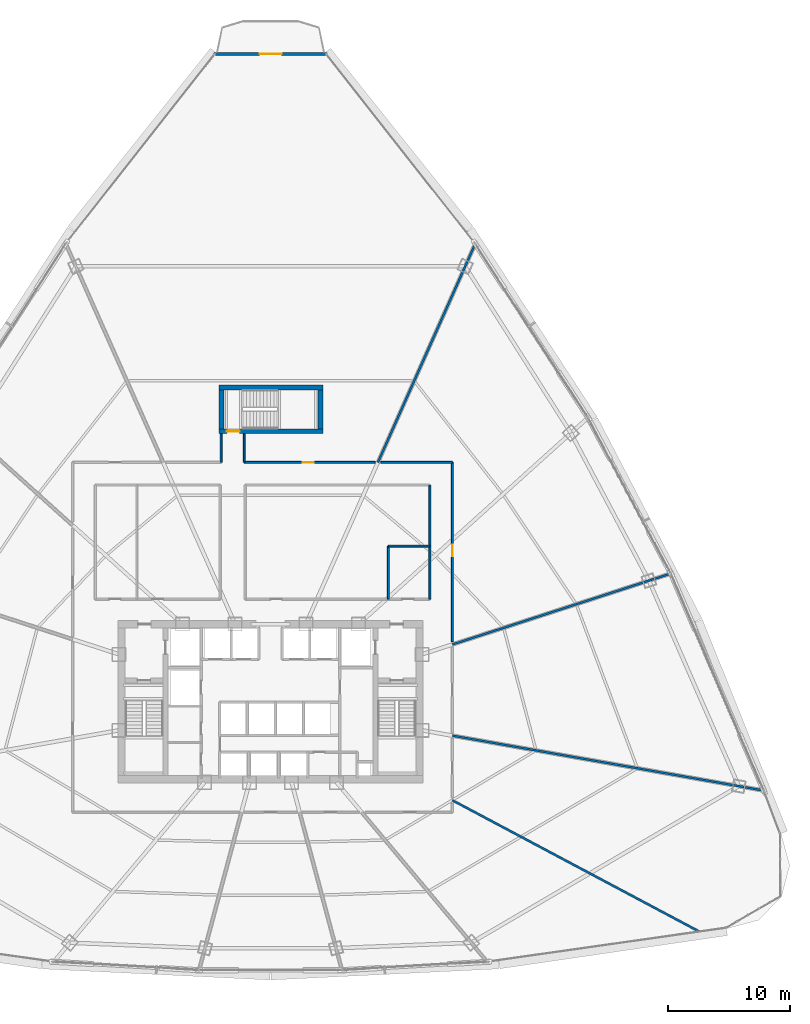
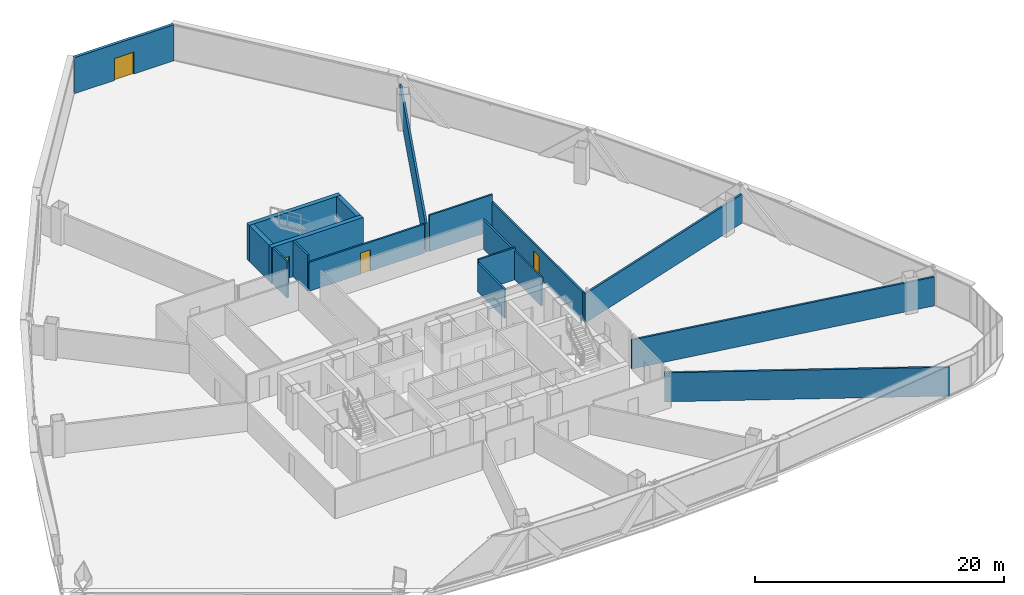
# One storey, part 34 of 39: 17 walls, 4 doors, 4 openings.
"""IFC4 building model written with IfcOpenShell, lengths in metres."""

from ifc_helpers import new_model, si_unit, direction, frame, frame_2d, origin, origin_with_axes, place, context, subcontext, project, spatial, rectangle, extrude, source, transform, mapped, material, layer, layer_set, type_object, element, fill, save


model = new_model("IFC4")

# Units and contexts
model_context = context("Model", 3, precision=1e-05, world=origin(), true_north=direction((0.0, 1.0)))
body_context = subcontext(model_context, "Body", "Model", "MODEL_VIEW")
ifc_project = project(units=[si_unit("LENGTHUNIT", "METRE"), si_unit("AREAUNIT", "SQUARE_METRE"), si_unit("VOLUMEUNIT", "CUBIC_METRE"), si_unit("PLANEANGLEUNIT", "RADIAN"), si_unit("MASSUNIT", "GRAM", prefix="KILO"), si_unit("THERMODYNAMICTEMPERATUREUNIT", "KELVIN"), si_unit("POWERUNIT", "WATT")], contexts=[model_context])

# Site, building, storey
site_placement = place(None, origin())
site = spatial("IfcSite", under=ifc_project, at=site_placement, CompositionType="ELEMENT")
building_placement = place(site_placement, origin())
building = spatial("IfcBuilding", under=site, at=building_placement, Name="Yunzhuo Pagoda Commons", CompositionType="ELEMENT")
storey_placement = place(building_placement, frame((0.0, 0.0, 92.580078125)))
storey = spatial("IfcBuildingStorey", under=building, at=storey_placement, Name="L23", CompositionType="ELEMENT", Elevation=92.580078125)

# Wall, opening, door
ifc_material_1 = material(Name="Precast concrete C40", Category="concrete")
ifc_layer_1 = layer(ifc_material_1, 0.260009765625)
ifc_layer_set_1 = layer_set([ifc_layer_1], Name="Precast concrete C40")
wall_type_1 = type_object("IfcWallType", Name="W-BAL1 Corner Balcony Threshold Wall 260", PredefinedType="STANDARD", material=ifc_layer_set_1)
wall_1_placement = place(storey_placement, frame((52.6123046875, 86.90478515625, 0.0), z_axis=(0.0, 0.0, 1.0), x_axis=(-1.0, 0.0, 0.0)))
wall_1 = element("IfcWall", 1, at=wall_1_placement, inside=storey, type_object=wall_type_1, Name="L23 corner balcony wall V3", PredefinedType="STANDARD", context=body_context, shape_type="SweptSolid", body=[
    extrude(rectangle(XDim=9.224609375, YDim=0.260009765625, at=frame_2d((4.6123046875, 0.0))), origin(), (0.0, 0.0, 1.0), 3.5400390625),
])
opening_1_placement = place(wall_1_placement, frame((3.71240234375, 0.0, 0.0)))
opening_1 = element("IfcOpeningElement", 2, at=opening_1_placement, cuts=wall_1, Name="Opening D-BAL1", PredefinedType="OPENING", context=body_context, shape_type="SweptSolid", body=[
    extrude(rectangle(XDim=1.800048828125, YDim=2.14990234375, at=frame_2d((0.89990234375, 1.074951171875))), frame((0.0, 0.14013671875, 0.0), z_axis=(0.0, -1.0, 0.0), x_axis=(1.0, 0.0, 0.0)), (0.0, 0.0, 1.0), 0.280029296875),
])
ifc_material_2 = material(Name="Anodized aluminium frame and tempered glazed leaf", Category="aluminium")
door_type_1 = type_object("IfcDoorType", Name="D-BAL1 Corner Balcony Sliding Glazed Door 1800x2150", OperationType="DOUBLE_DOOR_SLIDING", PredefinedType="DOOR", material=ifc_material_2)
shared_shape_1 = source(origin(), body_context, "Body", "SweptSolid", [
    extrude(rectangle(XDim=1.800048828125, YDim=2.14990234375, at=frame_2d((0.89990234375, 1.074951171875))), frame((0.0, 0.02490234375, 0.0), z_axis=(0.0, -1.0, 0.0), x_axis=(1.0, 0.0, 0.0)), (0.0, 0.0, 1.0), 0.050048828125),
])
door_1_placement = place(opening_1_placement, origin_with_axes())
door_1 = element("IfcDoor", 3, at=door_1_placement, inside=storey, type_object=door_type_1, Name="L23 corner balcony sliding door V3", OperationType="DOUBLE_DOOR_SLIDING", OverallHeight=2.14990234375, OverallWidth=1.800048828125, PredefinedType="DOOR", context=body_context, shape_type="MappedRepresentation", body=[
    mapped(shared_shape_1, transform((0.0, 0.0, 0.0), scale=1.0)),
])
fill(opening_1, door_1)

# Walls
ifc_material_3 = material(Name="Gypsum plasterboard on acoustic stud")
ifc_layer_2 = layer(ifc_material_3, 0.159912109375)
ifc_layer_set_2 = layer_set([ifc_layer_2], Name="Gypsum plasterboard on acoustic stud")
wall_type_2 = type_object("IfcWallType", Name="W-COR1 Tower Rated Corridor Wall 160", PredefinedType="PARTITIONING", material=ifc_layer_set_2)
wall_2_placement = place(storey_placement, frame((61.050048828125, 42.25, 0.0), z_axis=(0.0, 0.0, 1.0), x_axis=(0.0, 1.0, 0.0)))
element("IfcWall", 4, at=wall_2_placement, inside=storey, type_object=wall_type_2, Name="L23 interior wall IW-L23-ISLEE", PredefinedType="PARTITIONING", context=body_context, shape_type="SweptSolid", body=[
    extrude(rectangle(XDim=9.35009765625, YDim=0.159912109375, at=frame_2d((4.675048828125, 0.0))), origin(), (0.0, 0.0, 1.0), 2.83984375),
])
wall_3_placement = place(storey_placement, frame((57.64990234375, 42.25, 0.0), z_axis=(0.0, 0.0, 1.0), x_axis=(0.0, 1.0, 0.0)))
element("IfcWall", 5, at=wall_3_placement, inside=storey, type_object=wall_type_2, Name="L23 interior wall IW-L23-ISL2W", PredefinedType="PARTITIONING", context=body_context, shape_type="SweptSolid", body=[
    extrude(rectangle(XDim=4.35009765625, YDim=0.159912109375, at=frame_2d((2.175048828125, 0.0))), origin(), (0.0, 0.0, 1.0), 2.83984375),
])
wall_4_placement = place(storey_placement, frame((57.64990234375, 46.60009765625, 0.0), z_axis=(0.0, 0.0, 1.0), x_axis=(1.0, 0.0, 0.0)))
element("IfcWall", 6, at=wall_4_placement, inside=storey, type_object=wall_type_2, Name="L23 interior wall IW-L23-ISL2N", PredefinedType="PARTITIONING", context=body_context, shape_type="SweptSolid", body=[
    extrude(rectangle(XDim=3.400146484375, YDim=0.159912109375, at=frame_2d((1.7001953125, 0.0))), origin(), (0.0, 0.0, 1.0), 3.139892578125),
])
for number, where, z_axis, x_axis, name in (
    (7, (43.949951171875, 53.449951171875, 0.0), (0.0, 0.0, 1.0), (0.0, 1.0, 0.0), "L23 interior wall IW-L23-CWL06"),
    (8, (45.85009765625, 55.780029296875, 0.0), (0.0, 0.0, 1.0), (0.0, -1.0, 0.0), "L23 interior wall IW-L23-CWL07"),
):
    element("IfcWall", number, at=place(storey_placement, frame(where, z_axis=z_axis, x_axis=x_axis)), inside=storey, type_object=wall_type_2, Name=name, PredefinedType="PARTITIONING", context=body_context, shape_type="SweptSolid", body=[
        extrude(rectangle(XDim=2.330078125, YDim=0.159912109375, at=frame_2d((1.1650390625, 0.0))), origin(), (0.0, 0.0, 1.0), 3.5400390625),
    ])

# Wall, opening, door
wall_5_placement = place(storey_placement, frame((45.85009765625, 53.449951171875, 0.0), z_axis=(0.0, 0.0, 1.0), x_axis=(1.0, 0.0, 0.0)))
wall_5 = element("IfcWall", 9, at=wall_5_placement, inside=storey, type_object=wall_type_2, Name="L23 interior wall IW-L23-CWL08", PredefinedType="PARTITIONING", context=body_context, shape_type="SweptSolid", body=[
    extrude(rectangle(XDim=10.723388671875, YDim=0.159912109375, at=frame_2d((5.36181640625, 0.0))), origin(), (0.0, 0.0, 1.0), 2.83984375),
])
opening_2_placement = place(wall_5_placement, frame((4.781494140625, 0.0, 0.0)))
opening_2 = element("IfcOpeningElement", 10, at=opening_2_placement, cuts=wall_5, Name="Opening D-04", PredefinedType="OPENING", context=body_context, shape_type="SweptSolid", body=[
    extrude(rectangle(XDim=0.919921875, YDim=2.10009765625, at=frame_2d((0.4599609375, 1.050048828125))), frame((0.0, 0.08984375, 0.0), z_axis=(0.0, -1.0, 0.0), x_axis=(1.0, 0.0, 0.0)), (0.0, 0.0, 1.0), 0.179931640625),
])
ifc_material_4 = material(Name="Powder-coated aluminium and timber acoustic leaf", Category="wood")
door_type_2 = type_object("IfcDoorType", Name="D-04 Bedroom & Study Interior Door 920x2100", OperationType="NOTDEFINED", PredefinedType="DOOR", material=ifc_material_4)
shared_shape_2 = source(origin(), body_context, "Body", "SweptSolid", [
    extrude(rectangle(XDim=0.919921875, YDim=2.10009765625, at=frame_2d((0.4599609375, 1.050048828125))), frame((0.0, 0.02490234375, 0.0), z_axis=(0.0, -1.0, 0.0), x_axis=(1.0, 0.0, 0.0)), (0.0, 0.0, 1.0), 0.050048828125),
])
door_2_placement = place(opening_2_placement, origin_with_axes())
door_2 = element("IfcDoor", 11, at=door_2_placement, inside=storey, type_object=door_type_2, Name="L23 seminar room 03 door", OperationType="SINGLE_SWING_RIGHT", OverallHeight=2.10009765625, OverallWidth=0.919921875, PredefinedType="DOOR", context=body_context, shape_type="MappedRepresentation", body=[
    mapped(shared_shape_2, transform((0.0, 0.0, 0.0), scale=1.0)),
])
fill(opening_2, door_2)

# Wall
wall_6_placement = place(storey_placement, frame((57.0341796875, 53.449951171875, 0.0), z_axis=(0.0, 0.0, 1.0), x_axis=(1.0, 0.0, 0.0)))
element("IfcWall", 12, at=wall_6_placement, inside=storey, type_object=wall_type_2, Name="L23 interior wall IW-L23-CWL09", PredefinedType="PARTITIONING", context=body_context, shape_type="SweptSolid", body=[
    extrude(rectangle(XDim=5.86572265625, YDim=0.159912109375, at=frame_2d((2.932861328125, 0.0))), origin(), (0.0, 0.0, 1.0), 3.5400390625),
])

# Wall, opening, door
wall_7_placement = place(storey_placement, frame((62.89990234375, 53.449951171875, 0.0), z_axis=(0.0, 0.0, 1.0), x_axis=(0.0, -1.0, 0.0)))
wall_7 = element("IfcWall", 13, at=wall_7_placement, inside=storey, type_object=wall_type_2, Name="L23 interior wall IW-L23-CWL10", PredefinedType="PARTITIONING", context=body_context, shape_type="SweptSolid", body=[
    extrude(rectangle(XDim=14.67724609375, YDim=0.159912109375, at=frame_2d((7.338623046875, 0.0))), origin(), (0.0, 0.0, 1.0), 2.83984375),
])
opening_3_placement = place(wall_7_placement, frame((6.74951171875, 0.0, 0.0)))
opening_3 = element("IfcOpeningElement", 14, at=opening_3_placement, cuts=wall_7, Name="Opening D-06", PredefinedType="OPENING", context=body_context, shape_type="SweptSolid", body=[
    extrude(rectangle(XDim=0.949951171875, YDim=2.10009765625, at=frame_2d((0.47509765625, 1.050048828125))), frame((0.0, 0.08984375, 0.0), z_axis=(0.0, -1.0, 0.0), x_axis=(1.0, 0.0, 0.0)), (0.0, 0.0, 1.0), 0.179931640625),
])
ifc_material_5 = material(Name="Galvanized fire-resisting metal leaf")
door_type_3 = type_object("IfcDoorType", Name="D-06 Co-Living Suite Entrance Fire Door 950x2100", OperationType="NOTDEFINED", PredefinedType="DOOR", material=ifc_material_5)
shared_shape_3 = source(origin(), body_context, "Body", "SweptSolid", [
    extrude(rectangle(XDim=0.949951171875, YDim=2.10009765625, at=frame_2d((0.47509765625, 1.050048828125))), frame((0.0, 0.02490234375, 0.0), z_axis=(0.0, -1.0, 0.0), x_axis=(1.0, 0.0, 0.0)), (0.0, 0.0, 1.0), 0.050048828125),
])
door_3_placement = place(opening_3_placement, origin_with_axes())
door_3 = element("IfcDoor", 15, at=door_3_placement, inside=storey, type_object=door_type_3, Name="L23 Shared Resident Kitchen and Pantry door", OperationType="SINGLE_SWING_LEFT", OverallHeight=2.10009765625, OverallWidth=0.949951171875, PredefinedType="DOOR", context=body_context, shape_type="MappedRepresentation", body=[
    mapped(shared_shape_3, transform((0.0, 0.0, 0.0), scale=1.0)),
])
fill(opening_3, door_3)

# Walls
ifc_layer_3 = layer(ifc_material_3, 0.179931640625)
ifc_layer_set_3 = layer_set([ifc_layer_3], Name="Gypsum plasterboard on acoustic stud")
wall_type_3 = type_object("IfcWallType", Name="W-PRT2 Acoustic Unit Demising Wall 180", PredefinedType="PARTITIONING", material=ifc_layer_set_3)
wall_8_placement = place(storey_placement, frame((62.89990234375, 38.541259765625, 0.0), z_axis=(0.0, 0.0, 1.0), x_axis=(0.951056186137, 0.309018010496, 0.0)))
element("IfcWall", 16, at=wall_8_placement, inside=storey, type_object=wall_type_3, Name="L23 interior wall IW-L23-RAD01", PredefinedType="PARTITIONING", context=body_context, shape_type="SweptSolid", body=[
    extrude(rectangle(XDim=18.8173828125, YDim=0.179931640625, at=frame_2d((9.40869140625, 0.0))), origin(), (0.0, 0.0, 1.0), 2.83984375),
])
wall_9_placement = place(storey_placement, frame((56.793212890625, 53.449951171875, 0.0), z_axis=(0.0, 0.0, 1.0), x_axis=(0.406741294252, 0.913543386791, 0.0)))
element("IfcWall", 17, at=wall_9_placement, inside=storey, type_object=wall_type_3, Name="L23 interior wall IW-L23-RAD02", PredefinedType="PARTITIONING", context=body_context, shape_type="SweptSolid", body=[
    extrude(rectangle(XDim=19.612060546875, YDim=0.179931640625, at=frame_2d((9.80615234375, 0.0))), origin(), (0.0, 0.0, 1.0), 2.83984375),
])
wall_10_placement = place(storey_placement, frame((62.89990234375, 25.777587890625, 0.0), z_axis=(0.0, 0.0, 1.0), x_axis=(0.882949939944, -0.469467148533, 0.0)))
element("IfcWall", 18, at=wall_10_placement, inside=storey, type_object=wall_type_3, Name="L23 interior wall IW-L23-RAD09", PredefinedType="PARTITIONING", context=body_context, shape_type="SweptSolid", body=[
    extrude(rectangle(XDim=22.90771484375, YDim=0.179931640625, at=frame_2d((11.453857421875, 0.0))), origin(), (0.0, 0.0, 1.0), 2.83984375),
])
wall_11_placement = place(storey_placement, frame((62.89990234375, 31.07275390625, 0.0), z_axis=(0.0, 0.0, 1.0), x_axis=(0.984807465584, -0.173649807743, 0.0)))
element("IfcWall", 19, at=wall_11_placement, inside=storey, type_object=wall_type_3, Name="L23 interior wall IW-L23-RAD10", PredefinedType="PARTITIONING", context=body_context, shape_type="SweptSolid", body=[
    extrude(rectangle(XDim=25.8974609375, YDim=0.179931640625, at=frame_2d((12.94873046875, 0.0))), origin(), (0.0, 0.0, 1.0), 2.83984375),
])
ifc_material_6 = material(Name="Concrete C60", Category="concrete")
ifc_layer_4 = layer(ifc_material_6, 0.39990234375)
ifc_layer_set_4 = layer_set([ifc_layer_4], Name="Concrete C60")
wall_type_4 = type_object("IfcWallType", Name="W-S01 Internal Core Shear Web 400", PredefinedType="SHEAR", material=ifc_layer_set_4)
wall_12_placement = place(storey_placement, frame((43.800048828125, 59.60009765625, 0.0), z_axis=(0.0, 0.0, 1.0), x_axis=(1.0, 0.0, 0.0)))
element("IfcWall", 20, at=wall_12_placement, inside=storey, type_object=wall_type_4, Name="L23 ST3 structural stair wall N", PredefinedType="SHEAR", context=body_context, shape_type="SweptSolid", body=[
    extrude(rectangle(XDim=8.5, YDim=0.39990234375, at=frame_2d((4.25, 0.0))), origin(), (0.0, 0.0, 1.0), 3.5400390625),
])

# Wall, opening, door
wall_13_placement = place(storey_placement, frame((43.800048828125, 56.0, 0.0), z_axis=(0.0, 0.0, 1.0), x_axis=(1.0, 0.0, 0.0)))
wall_13 = element("IfcWall", 21, at=wall_13_placement, inside=storey, type_object=wall_type_4, Name="L23 ST3 structural stair wall S", PredefinedType="SHEAR", context=body_context, shape_type="SweptSolid", body=[
    extrude(rectangle(XDim=8.5, YDim=0.39990234375, at=frame_2d((4.25, 0.0))), origin(), (0.0, 0.0, 1.0), 3.5400390625),
])
opening_4_placement = place(wall_13_placement, frame((0.6201171875, 0.0, 0.0)))
opening_4 = element("IfcOpeningElement", 22, at=opening_4_placement, cuts=wall_13, Name="Opening D-01", PredefinedType="OPENING", context=body_context, shape_type="SweptSolid", body=[
    extrude(rectangle(XDim=1.050048828125, YDim=2.10009765625, at=frame_2d((0.52490234375, 1.050048828125))), frame((0.0, 0.2099609375, 0.0), z_axis=(0.0, -1.0, 0.0), x_axis=(1.0, 0.0, 0.0)), (0.0, 0.0, 1.0), 0.419921875),
])
door_type_4 = type_object("IfcDoorType", Name="D-01 Smokeproof Stair Fire Door 1050x2100", OperationType="NOTDEFINED", PredefinedType="DOOR", material=ifc_material_5)
shared_shape_4 = source(origin(), body_context, "Body", "SweptSolid", [
    extrude(rectangle(XDim=1.050048828125, YDim=2.10009765625, at=frame_2d((0.52490234375, 1.050048828125))), frame((0.0, 0.02490234375, 0.0), z_axis=(0.0, -1.0, 0.0), x_axis=(1.0, 0.0, 0.0)), (0.0, 0.0, 1.0), 0.050048828125),
])
door_4_placement = place(opening_4_placement, frame((1.050048828125, 0.0, 0.0), z_axis=(0.0, 0.0, 1.0), x_axis=(-1.0, 0.0, 0.0)))
door_4 = element("IfcDoor", 23, at=door_4_placement, inside=storey, type_object=door_type_4, Name="L23 Stair ST3 fire door", OperationType="SINGLE_SWING_LEFT", OverallHeight=2.10009765625, OverallWidth=1.050048828125, PredefinedType="DOOR", context=body_context, shape_type="MappedRepresentation", body=[
    mapped(shared_shape_4, transform((0.0, 0.0, 0.0), scale=1.0)),
])
fill(opening_4, door_4)

# Walls
for number, where, z_axis, x_axis, name in (
    (24, (44.0, 56.199951171875, 0.0), (0.0, 0.0, 1.0), (0.0, 1.0, 0.0), "L23 ST3 structural stair wall W"),
    (25, (52.10009765625, 56.199951171875, 0.0), (0.0, 0.0, 1.0), (0.0, 1.0, 0.0), "L23 ST3 structural stair wall E"),
):
    element("IfcWall", number, at=place(storey_placement, frame(where, z_axis=z_axis, x_axis=x_axis)), inside=storey, type_object=wall_type_4, Name=name, PredefinedType="SHEAR", context=body_context, shape_type="SweptSolid", body=[
        extrude(rectangle(XDim=3.199951171875, YDim=0.39990234375, at=frame_2d((1.60009765625, 0.0))), origin(), (0.0, 0.0, 1.0), 3.5400390625),
    ])

save(model, "model.ifc")
